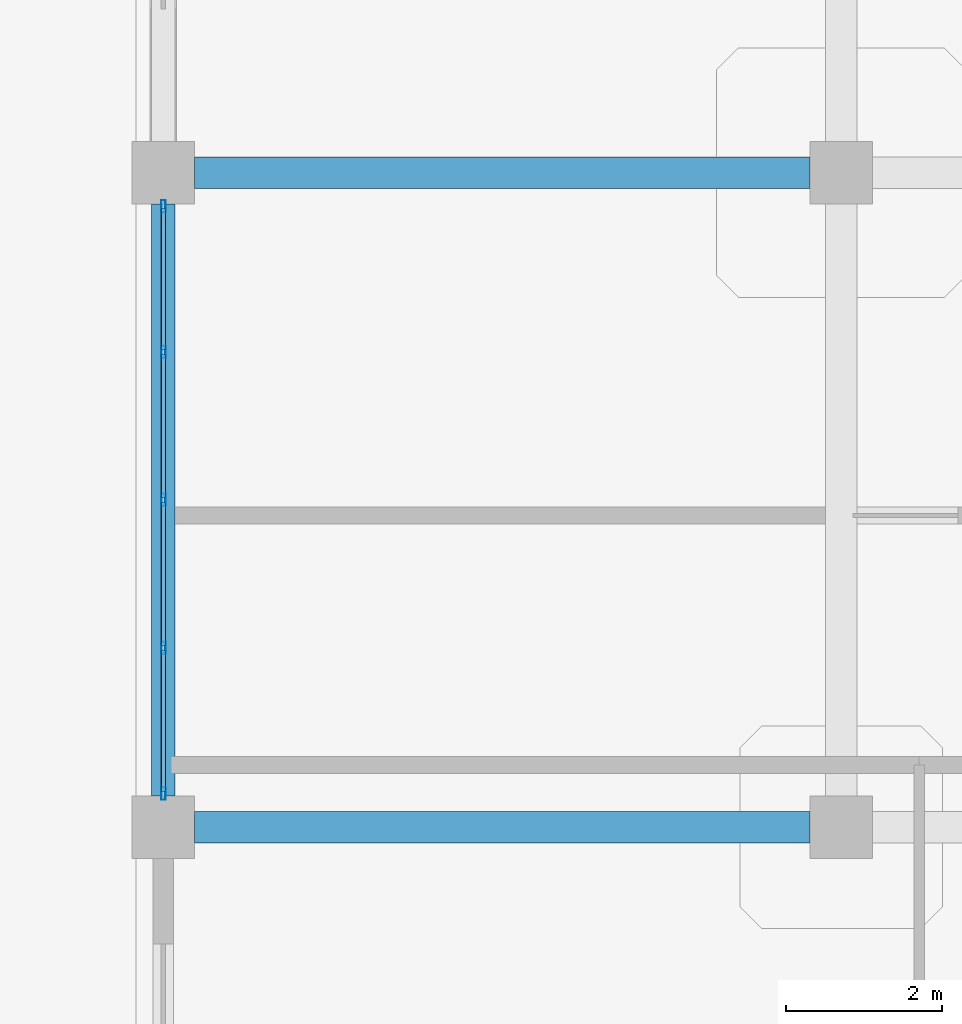
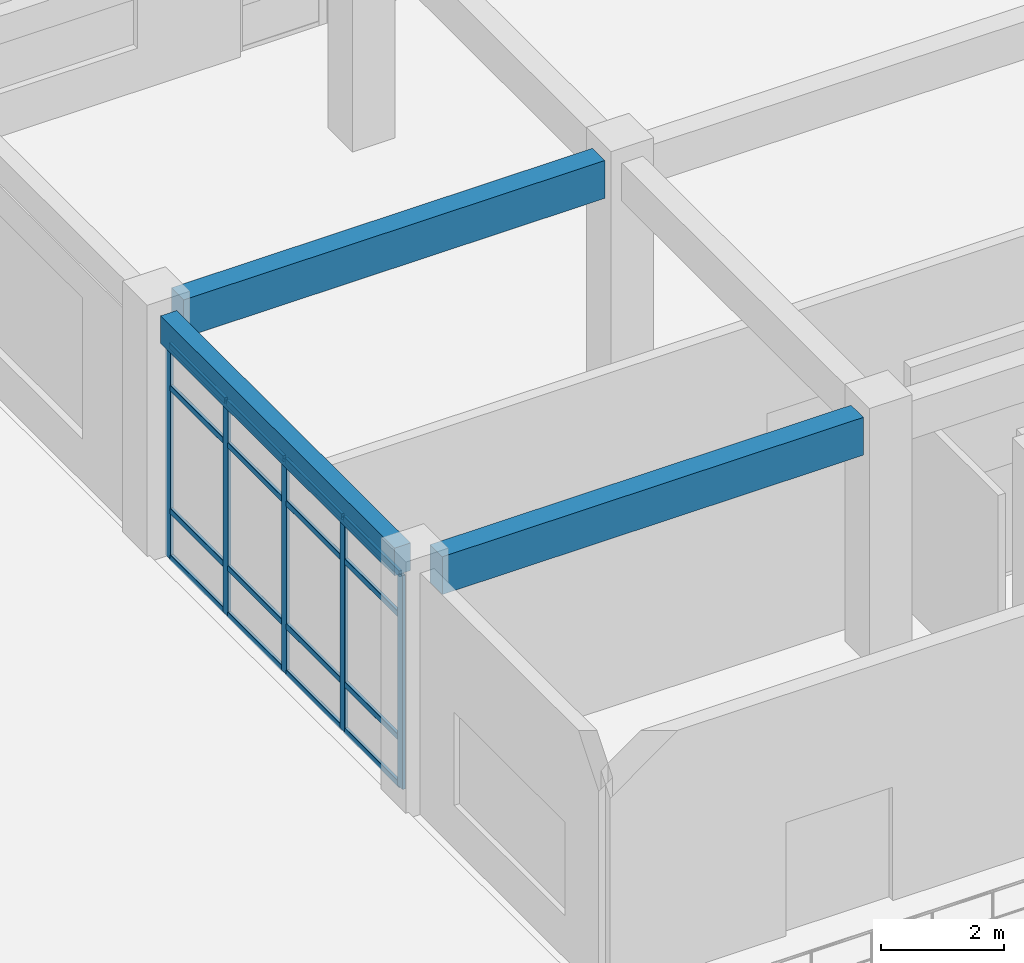
# One storey, part 32 of 124: 21 members, 3 beams, 1 element without a shape of its own.
"""IFC4 building model written with IfcOpenShell, lengths in metres."""

from ifc_helpers import new_model, si_unit, derived_unit, direction, frame, origin, origin_2d, place, context, subcontext, project, spatial, rectangle, hollow_rectangle, extrude, material, layer, layer_set, material_profile, profile_set, type_object, element, aggregate, save


model = new_model("IFC4")

# Units and contexts
model_context = context("Model", 3, precision=1e-05, world=origin(), true_north=direction((0.0, 1.0)))
body_context = subcontext(model_context, "Body", "Model", "MODEL_VIEW")
ifc_project = project(units=[si_unit("LENGTHUNIT", "METRE"), si_unit("AREAUNIT", "SQUARE_METRE"), si_unit("VOLUMEUNIT", "CUBIC_METRE"), si_unit("PLANEANGLEUNIT", "RADIAN"), si_unit("MASSUNIT", "GRAM", prefix="KILO"), derived_unit("THERMALTRANSMITTANCEUNIT", [(si_unit("MASSUNIT", "GRAM", prefix="KILO"), 1), (si_unit("TIMEUNIT", "SECOND"), -3), (si_unit("THERMODYNAMICTEMPERATUREUNIT", "KELVIN"), -1)])], contexts=[model_context])

# Site, building, storey
site_placement = place(None, origin())
site = spatial("IfcSite", under=ifc_project, at=site_placement, CompositionType="ELEMENT")
building_placement = place(site_placement, origin())
building = spatial("IfcBuilding", under=site, at=building_placement, Name="Qinzheling Arcade Emporium", CompositionType="ELEMENT")
storey_placement = place(building_placement, frame((0.0, 0.0, 16.5)))
storey = spatial("IfcBuildingStorey", under=building, at=storey_placement, Name="L04", CompositionType="ELEMENT", Elevation=16.5)

# Curtain wall, members
ifc_material_1 = material(Name="Anodised aluminium and solar-control double glazing", Category="aluminium")
ifc_layer = layer(ifc_material_1, 0.159912109375, Name="Anodised aluminium and solar-control double glazing", Category="aluminium")
ifc_layer_set = layer_set([ifc_layer], Name="Anodised aluminium and solar-control double glazing")
curtain_wall_type = type_object("IfcCurtainWallType", Name="Food Hall Loggia Curtain Wall", PredefinedType="NOTDEFINED", material=ifc_layer_set)
curtain_wall_placement = place(storey_placement, origin())
curtain_wall = element("IfcCurtainWall", 1, at=curtain_wall_placement, inside=storey, type_object=curtain_wall_type, Name="Curtain Wall CW-L04-217", PredefinedType="NOTDEFINED")
ifc_material_2 = material(Name="Anodised aluminium 6063-T6", Category="aluminium")
ifc_material_profile_1 = material_profile(ifc_material_2, hollow_rectangle(XDim=0.06005859375, YDim=0.159912109375, WallThickness=0.00390625, InnerFilletRadius=0.00390625, OuterFilletRadius=0.008056640625, at=origin_2d()), Name="RHS 160x60x4", Category="aluminium")
ifc_profile_set_1 = profile_set([ifc_material_profile_1], Name="Anodised aluminium 6063-T6")
member_type_1 = type_object("IfcMemberType", Name="Curtain Wall Mullion RHS160x60", PredefinedType="MULLION", material=ifc_profile_set_1)
member_1_placement = place(storey_placement, frame((121.800048828125, 8.83203125, 0.0), z_axis=(0.0, 0.0, 1.0), x_axis=(-1.0, 0.0, 0.0)))
member_1 = element("IfcMember", 2, at=member_1_placement, type_object=member_type_1, Name="CW04 mullion 1", PredefinedType="MULLION", context=body_context, shape_type="SweptSolid", body=[
    extrude(hollow_rectangle(XDim=0.06005859375, YDim=0.159912109375, WallThickness=0.00390625, InnerFilletRadius=0.00390625, OuterFilletRadius=0.008056640625, at=origin_2d()), origin(), (0.0, 0.0, 1.0), 4.239990234375),
])
member_2_placement = place(storey_placement, frame((121.800048828125, 10.700927734375, 0.0), z_axis=(0.0, 0.0, 1.0), x_axis=(-1.0, 0.0, 0.0)))
member_2 = element("IfcMember", 3, at=member_2_placement, type_object=member_type_1, Name="CW04 mullion 2", PredefinedType="MULLION", context=body_context, shape_type="SweptSolid", body=[
    extrude(hollow_rectangle(XDim=0.06005859375, YDim=0.159912109375, WallThickness=0.00390625, InnerFilletRadius=0.00390625, OuterFilletRadius=0.008056640625, at=origin_2d()), origin(), (0.0, 0.0, 1.0), 4.239990234375),
])
member_3_placement = place(storey_placement, frame((121.800048828125, 12.60009765625, 0.0), z_axis=(0.0, 0.0, 1.0), x_axis=(-1.0, 0.0, 0.0)))
member_3 = element("IfcMember", 4, at=member_3_placement, type_object=member_type_1, Name="CW04 mullion 3", PredefinedType="MULLION", context=body_context, shape_type="SweptSolid", body=[
    extrude(hollow_rectangle(XDim=0.06005859375, YDim=0.159912109375, WallThickness=0.00390625, InnerFilletRadius=0.00390625, OuterFilletRadius=0.008056640625, at=origin_2d()), origin(), (0.0, 0.0, 1.0), 4.239990234375),
])
member_4_placement = place(storey_placement, frame((121.800048828125, 14.4990234375, 0.0), z_axis=(0.0, 0.0, 1.0), x_axis=(-1.0, 0.0, 0.0)))
member_4 = element("IfcMember", 5, at=member_4_placement, type_object=member_type_1, Name="CW04 mullion 4", PredefinedType="MULLION", context=body_context, shape_type="SweptSolid", body=[
    extrude(hollow_rectangle(XDim=0.06005859375, YDim=0.159912109375, WallThickness=0.00390625, InnerFilletRadius=0.00390625, OuterFilletRadius=0.008056640625, at=origin_2d()), origin(), (0.0, 0.0, 1.0), 4.239990234375),
])
member_5_placement = place(storey_placement, frame((121.800048828125, 16.367919921875, 0.0), z_axis=(0.0, 0.0, 1.0), x_axis=(-1.0, 0.0, 0.0)))
member_5 = element("IfcMember", 6, at=member_5_placement, type_object=member_type_1, Name="CW04 mullion 5", PredefinedType="MULLION", context=body_context, shape_type="SweptSolid", body=[
    extrude(hollow_rectangle(XDim=0.06005859375, YDim=0.159912109375, WallThickness=0.00390625, InnerFilletRadius=0.00390625, OuterFilletRadius=0.008056640625, at=origin_2d()), origin(), (0.0, 0.0, 1.0), 4.239990234375),
])
ifc_material_profile_2 = material_profile(ifc_material_2, hollow_rectangle(XDim=0.06005859375, YDim=0.1201171875, WallThickness=0.00390625, InnerFilletRadius=0.00390625, OuterFilletRadius=0.008056640625, at=origin_2d()), Name="RHS 120x60x4", Category="aluminium")
ifc_profile_set_2 = profile_set([ifc_material_profile_2], Name="Anodised aluminium 6063-T6")
member_type_2 = type_object("IfcMemberType", Name="Curtain Wall Transom RHS120x60", PredefinedType="USERDEFINED", material=ifc_profile_set_2)
member_6_placement = place(storey_placement, frame((121.800048828125, 8.862060546875, 0.030029296875), z_axis=(0.0, 1.0, 0.0), x_axis=(-1.0, 0.0, 0.0)))
member_6 = element("IfcMember", 7, at=member_6_placement, type_object=member_type_2, Name="CW04 transom 1.1", ObjectType="TRANSOM", PredefinedType="USERDEFINED", context=body_context, shape_type="SweptSolid", body=[
    extrude(hollow_rectangle(XDim=0.06005859375, YDim=0.1201171875, WallThickness=0.00390625, InnerFilletRadius=0.00390625, OuterFilletRadius=0.008056640625, at=origin_2d()), origin(), (0.0, 0.0, 1.0), 1.808837890625),
])
member_7_placement = place(storey_placement, frame((121.800048828125, 8.862060546875, 0.949951171875), z_axis=(0.0, 1.0, 0.0), x_axis=(-1.0, 0.0, 0.0)))
member_7 = element("IfcMember", 8, at=member_7_placement, type_object=member_type_2, Name="CW04 transom 1.2", ObjectType="TRANSOM", PredefinedType="USERDEFINED", context=body_context, shape_type="SweptSolid", body=[
    extrude(hollow_rectangle(XDim=0.06005859375, YDim=0.1201171875, WallThickness=0.00390625, InnerFilletRadius=0.00390625, OuterFilletRadius=0.008056640625, at=origin_2d()), origin(), (0.0, 0.0, 1.0), 1.808837890625),
])
member_8_placement = place(storey_placement, frame((121.800048828125, 8.862060546875, 3.389892578125), z_axis=(0.0, 1.0, 0.0), x_axis=(-1.0, 0.0, 0.0)))
member_8 = element("IfcMember", 9, at=member_8_placement, type_object=member_type_2, Name="CW04 transom 1.3", ObjectType="TRANSOM", PredefinedType="USERDEFINED", context=body_context, shape_type="SweptSolid", body=[
    extrude(hollow_rectangle(XDim=0.06005859375, YDim=0.1201171875, WallThickness=0.00390625, InnerFilletRadius=0.00390625, OuterFilletRadius=0.008056640625, at=origin_2d()), origin(), (0.0, 0.0, 1.0), 1.808837890625),
])
member_9_placement = place(storey_placement, frame((121.800048828125, 8.862060546875, 4.2099609375), z_axis=(0.0, 1.0, 0.0), x_axis=(-1.0, 0.0, 0.0)))
member_9 = element("IfcMember", 10, at=member_9_placement, type_object=member_type_2, Name="CW04 transom 1.4", ObjectType="TRANSOM", PredefinedType="USERDEFINED", context=body_context, shape_type="SweptSolid", body=[
    extrude(hollow_rectangle(XDim=0.06005859375, YDim=0.1201171875, WallThickness=0.00390625, InnerFilletRadius=0.00390625, OuterFilletRadius=0.008056640625, at=origin_2d()), origin(), (0.0, 0.0, 1.0), 1.808837890625),
])
member_10_placement = place(storey_placement, frame((121.800048828125, 10.73095703125, 0.030029296875), z_axis=(0.0, 1.0, 0.0), x_axis=(-1.0, 0.0, 0.0)))
member_10 = element("IfcMember", 11, at=member_10_placement, type_object=member_type_2, Name="CW04 transom 2.1", ObjectType="TRANSOM", PredefinedType="USERDEFINED", context=body_context, shape_type="SweptSolid", body=[
    extrude(hollow_rectangle(XDim=0.06005859375, YDim=0.1201171875, WallThickness=0.00390625, InnerFilletRadius=0.00390625, OuterFilletRadius=0.008056640625, at=origin_2d()), origin(), (0.0, 0.0, 1.0), 1.839111328125),
])
member_11_placement = place(storey_placement, frame((121.800048828125, 10.73095703125, 0.949951171875), z_axis=(0.0, 1.0, 0.0), x_axis=(-1.0, 0.0, 0.0)))
member_11 = element("IfcMember", 12, at=member_11_placement, type_object=member_type_2, Name="CW04 transom 2.2", ObjectType="TRANSOM", PredefinedType="USERDEFINED", context=body_context, shape_type="SweptSolid", body=[
    extrude(hollow_rectangle(XDim=0.06005859375, YDim=0.1201171875, WallThickness=0.00390625, InnerFilletRadius=0.00390625, OuterFilletRadius=0.008056640625, at=origin_2d()), origin(), (0.0, 0.0, 1.0), 1.839111328125),
])
member_12_placement = place(storey_placement, frame((121.800048828125, 10.73095703125, 3.389892578125), z_axis=(0.0, 1.0, 0.0), x_axis=(-1.0, 0.0, 0.0)))
member_12 = element("IfcMember", 13, at=member_12_placement, type_object=member_type_2, Name="CW04 transom 2.3", ObjectType="TRANSOM", PredefinedType="USERDEFINED", context=body_context, shape_type="SweptSolid", body=[
    extrude(hollow_rectangle(XDim=0.06005859375, YDim=0.1201171875, WallThickness=0.00390625, InnerFilletRadius=0.00390625, OuterFilletRadius=0.008056640625, at=origin_2d()), origin(), (0.0, 0.0, 1.0), 1.839111328125),
])
member_13_placement = place(storey_placement, frame((121.800048828125, 10.73095703125, 4.2099609375), z_axis=(0.0, 1.0, 0.0), x_axis=(-1.0, 0.0, 0.0)))
member_13 = element("IfcMember", 14, at=member_13_placement, type_object=member_type_2, Name="CW04 transom 2.4", ObjectType="TRANSOM", PredefinedType="USERDEFINED", context=body_context, shape_type="SweptSolid", body=[
    extrude(hollow_rectangle(XDim=0.06005859375, YDim=0.1201171875, WallThickness=0.00390625, InnerFilletRadius=0.00390625, OuterFilletRadius=0.008056640625, at=origin_2d()), origin(), (0.0, 0.0, 1.0), 1.839111328125),
])
member_14_placement = place(storey_placement, frame((121.800048828125, 12.6298828125, 0.030029296875), z_axis=(0.0, 1.0, 0.0), x_axis=(-1.0, 0.0, 0.0)))
member_14 = element("IfcMember", 15, at=member_14_placement, type_object=member_type_2, Name="CW04 transom 3.1", ObjectType="TRANSOM", PredefinedType="USERDEFINED", context=body_context, shape_type="SweptSolid", body=[
    extrude(hollow_rectangle(XDim=0.06005859375, YDim=0.1201171875, WallThickness=0.00390625, InnerFilletRadius=0.00390625, OuterFilletRadius=0.008056640625, at=origin_2d()), origin(), (0.0, 0.0, 1.0), 1.839111328125),
])
member_15_placement = place(storey_placement, frame((121.800048828125, 12.6298828125, 0.949951171875), z_axis=(0.0, 1.0, 0.0), x_axis=(-1.0, 0.0, 0.0)))
member_15 = element("IfcMember", 16, at=member_15_placement, type_object=member_type_2, Name="CW04 transom 3.2", ObjectType="TRANSOM", PredefinedType="USERDEFINED", context=body_context, shape_type="SweptSolid", body=[
    extrude(hollow_rectangle(XDim=0.06005859375, YDim=0.1201171875, WallThickness=0.00390625, InnerFilletRadius=0.00390625, OuterFilletRadius=0.008056640625, at=origin_2d()), origin(), (0.0, 0.0, 1.0), 1.839111328125),
])
member_16_placement = place(storey_placement, frame((121.800048828125, 12.6298828125, 3.389892578125), z_axis=(0.0, 1.0, 0.0), x_axis=(-1.0, 0.0, 0.0)))
member_16 = element("IfcMember", 17, at=member_16_placement, type_object=member_type_2, Name="CW04 transom 3.3", ObjectType="TRANSOM", PredefinedType="USERDEFINED", context=body_context, shape_type="SweptSolid", body=[
    extrude(hollow_rectangle(XDim=0.06005859375, YDim=0.1201171875, WallThickness=0.00390625, InnerFilletRadius=0.00390625, OuterFilletRadius=0.008056640625, at=origin_2d()), origin(), (0.0, 0.0, 1.0), 1.839111328125),
])
member_17_placement = place(storey_placement, frame((121.800048828125, 12.6298828125, 4.2099609375), z_axis=(0.0, 1.0, 0.0), x_axis=(-1.0, 0.0, 0.0)))
member_17 = element("IfcMember", 18, at=member_17_placement, type_object=member_type_2, Name="CW04 transom 3.4", ObjectType="TRANSOM", PredefinedType="USERDEFINED", context=body_context, shape_type="SweptSolid", body=[
    extrude(hollow_rectangle(XDim=0.06005859375, YDim=0.1201171875, WallThickness=0.00390625, InnerFilletRadius=0.00390625, OuterFilletRadius=0.008056640625, at=origin_2d()), origin(), (0.0, 0.0, 1.0), 1.839111328125),
])
member_18_placement = place(storey_placement, frame((121.800048828125, 14.529052734375, 0.030029296875), z_axis=(0.0, 1.0, 0.0), x_axis=(-1.0, 0.0, 0.0)))
member_18 = element("IfcMember", 19, at=member_18_placement, type_object=member_type_2, Name="CW04 transom 4.1", ObjectType="TRANSOM", PredefinedType="USERDEFINED", context=body_context, shape_type="SweptSolid", body=[
    extrude(hollow_rectangle(XDim=0.06005859375, YDim=0.1201171875, WallThickness=0.00390625, InnerFilletRadius=0.00390625, OuterFilletRadius=0.008056640625, at=origin_2d()), origin(), (0.0, 0.0, 1.0), 1.808837890625),
])
member_19_placement = place(storey_placement, frame((121.800048828125, 14.529052734375, 0.949951171875), z_axis=(0.0, 1.0, 0.0), x_axis=(-1.0, 0.0, 0.0)))
member_19 = element("IfcMember", 20, at=member_19_placement, type_object=member_type_2, Name="CW04 transom 4.2", ObjectType="TRANSOM", PredefinedType="USERDEFINED", context=body_context, shape_type="SweptSolid", body=[
    extrude(hollow_rectangle(XDim=0.06005859375, YDim=0.1201171875, WallThickness=0.00390625, InnerFilletRadius=0.00390625, OuterFilletRadius=0.008056640625, at=origin_2d()), origin(), (0.0, 0.0, 1.0), 1.808837890625),
])
member_20_placement = place(storey_placement, frame((121.800048828125, 14.529052734375, 3.389892578125), z_axis=(0.0, 1.0, 0.0), x_axis=(-1.0, 0.0, 0.0)))
member_20 = element("IfcMember", 21, at=member_20_placement, type_object=member_type_2, Name="CW04 transom 4.3", ObjectType="TRANSOM", PredefinedType="USERDEFINED", context=body_context, shape_type="SweptSolid", body=[
    extrude(hollow_rectangle(XDim=0.06005859375, YDim=0.1201171875, WallThickness=0.00390625, InnerFilletRadius=0.00390625, OuterFilletRadius=0.008056640625, at=origin_2d()), origin(), (0.0, 0.0, 1.0), 1.808837890625),
])
member_21_placement = place(storey_placement, frame((121.800048828125, 14.529052734375, 4.2099609375), z_axis=(0.0, 1.0, 0.0), x_axis=(-1.0, 0.0, 0.0)))
member_21 = element("IfcMember", 22, at=member_21_placement, type_object=member_type_2, Name="CW04 transom 4.4", ObjectType="TRANSOM", PredefinedType="USERDEFINED", context=body_context, shape_type="SweptSolid", body=[
    extrude(hollow_rectangle(XDim=0.06005859375, YDim=0.1201171875, WallThickness=0.00390625, InnerFilletRadius=0.00390625, OuterFilletRadius=0.008056640625, at=origin_2d()), origin(), (0.0, 0.0, 1.0), 1.808837890625),
])
aggregate(curtain_wall, [member_1, member_2, member_3, member_4, member_5, member_6, member_7, member_8, member_9, member_10, member_11, member_12, member_13, member_14, member_15, member_16, member_17, member_18, member_19, member_20, member_21])

# Beams
ifc_material_3 = material(Name="Concrete C40", Category="concrete")
ifc_material_profile_3 = material_profile(ifc_material_3, rectangle(XDim=0.39990234375, YDim=0.75, at=origin_2d()), Name="RC 400x750", Category="concrete")
ifc_profile_set_3 = profile_set([ifc_material_profile_3], Name="Concrete C40")
beam_type_1 = type_object("IfcBeamType", Name="RC Interior Tie Beam 400x750 C40", PredefinedType="BEAM", material=ifc_profile_set_3)
for number, where, z_axis, x_axis, name in (
    (23, (122.199951171875, 8.39990234375, 4.429931640625), (1.0, 0.0, 0.0), (0.0, 1.0, 0.0), "Beam BM-L04-X-B-15"),
    (24, (122.199951171875, 16.800048828125, 4.429931640625), (1.0, 0.0, 0.0), (0.0, 1.0, 0.0), "Beam BM-L04-X-C-15"),
):
    element("IfcBeam", number, at=place(storey_placement, frame(where, z_axis=z_axis, x_axis=x_axis)), inside=storey, type_object=beam_type_1, Name=name, PredefinedType="BEAM", context=body_context, shape_type="SweptSolid", body=[
        extrude(rectangle(XDim=0.39990234375, YDim=0.75, at=origin_2d()), origin(), (0.0, 0.0, 1.0), 7.900146484375),
    ])
ifc_material_profile_4 = material_profile(ifc_material_3, rectangle(XDim=0.300048828125, YDim=0.550048828125, at=origin_2d()), Name="RC 300x550", Category="concrete")
ifc_profile_set_4 = profile_set([ifc_material_profile_4], Name="Concrete C40")
beam_type_2 = type_object("IfcBeamType", Name="RC Terrace Spandrel Beam 300x550 C40", PredefinedType="SPANDREL", material=ifc_profile_set_4)
beam_placement = place(storey_placement, frame((121.800048828125, 8.800048828125, 4.530029296875), z_axis=(0.0, 1.0, 0.0), x_axis=(-1.0, 0.0, 0.0)))
element("IfcBeam", 25, at=beam_placement, inside=storey, type_object=beam_type_2, Name="Beam BM-L04-Y-15-B", PredefinedType="SPANDREL", context=body_context, shape_type="SweptSolid", body=[
    extrude(rectangle(XDim=0.300048828125, YDim=0.550048828125, at=origin_2d()), origin(), (0.0, 0.0, 1.0), 7.599853515625),
])

save(model, "model.ifc")
